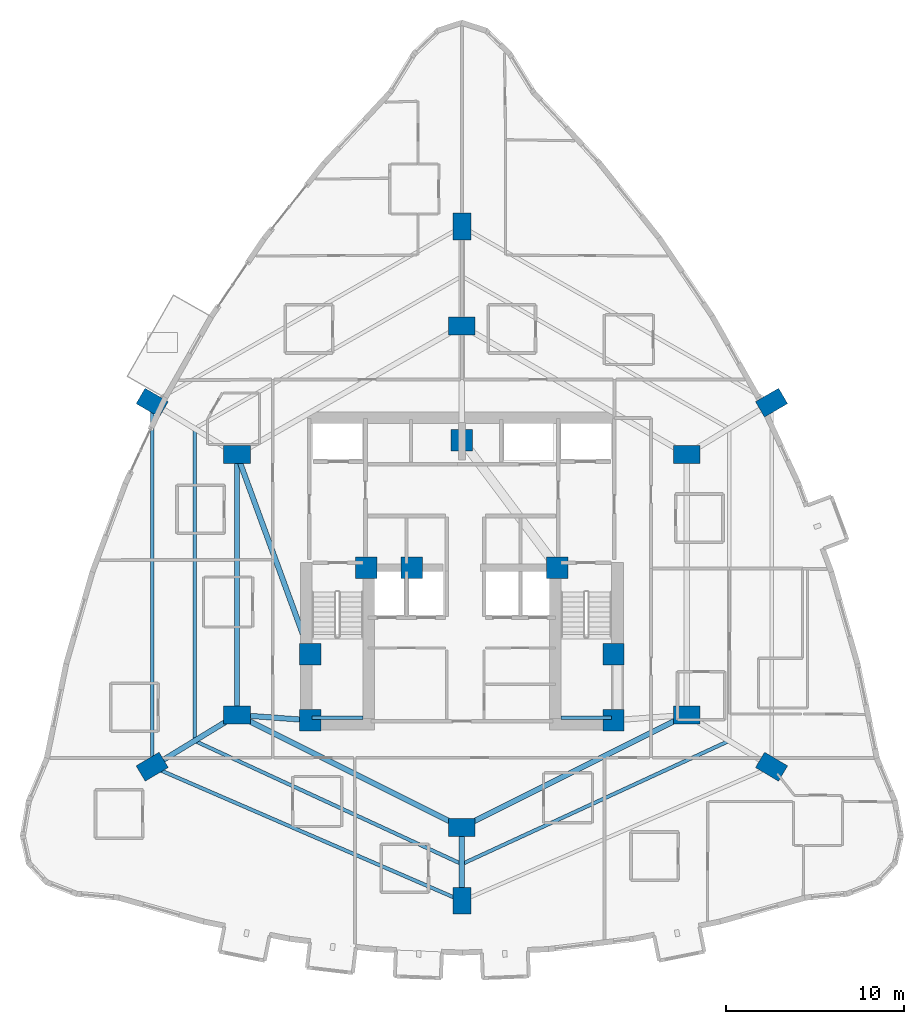
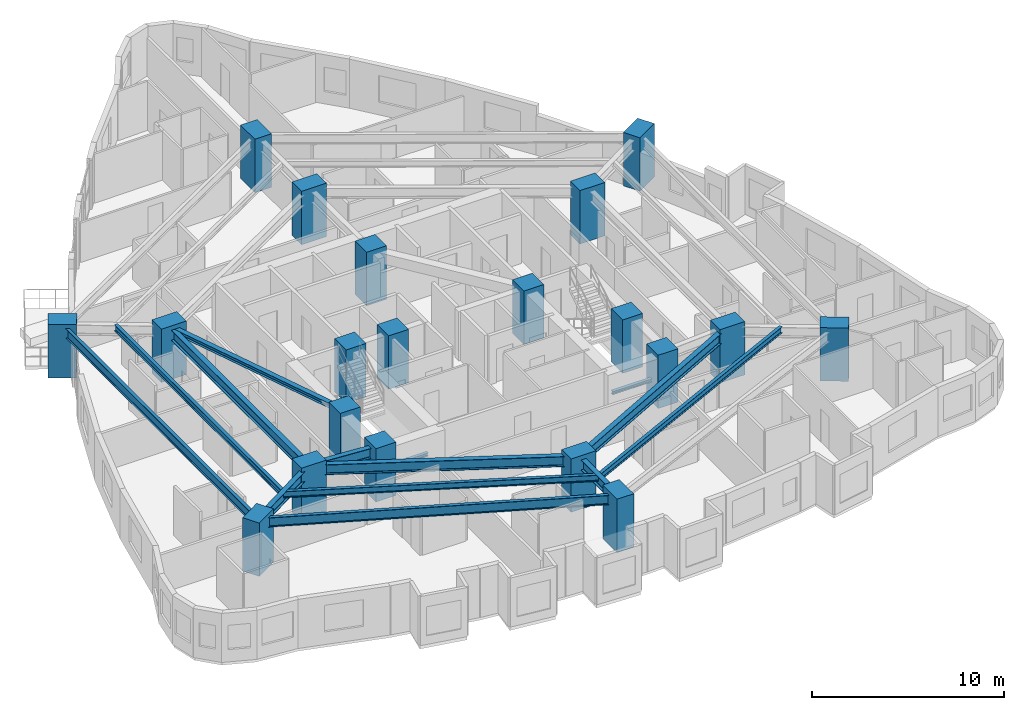
# One storey, part 1 of 17: 20 columns, 14 beams.
"""IFC4 building model written with IfcOpenShell, lengths in metres."""

from ifc_helpers import new_model, si_unit, direction, frame, origin, origin_2d, place, context, subcontext, project, spatial, rectangle, i_section, extrude, material, material_profile, profile_set, type_object, element, save


model = new_model("IFC4")

# Units and contexts
model_context = context("Model", 3, precision=1e-05, world=origin(), true_north=direction((0.0, 1.0)))
body_context = subcontext(model_context, "Body", "Model", "MODEL_VIEW")
ifc_project = project(units=[si_unit("LENGTHUNIT", "METRE"), si_unit("AREAUNIT", "SQUARE_METRE"), si_unit("VOLUMEUNIT", "CUBIC_METRE"), si_unit("PLANEANGLEUNIT", "RADIAN"), si_unit("MASSUNIT", "GRAM", prefix="KILO")], contexts=[model_context])

# Site, building, storey
site_placement = place(None, origin())
site = spatial("IfcSite", under=ifc_project, at=site_placement, CompositionType="ELEMENT")
building_placement = place(site_placement, origin())
building = spatial("IfcBuilding", under=site, at=building_placement, Name="Miruveldt Soraemaru", CompositionType="ELEMENT")
storey_placement = place(building_placement, frame((0.0, 0.0, 53.0)))
storey = spatial("IfcBuildingStorey", under=building, at=storey_placement, Name="L14", CompositionType="ELEMENT", Elevation=53.0)

# Columns
ifc_material_1 = material(Name="Concrete C70/85 (70 MPa)", Category="concrete")
ifc_material_profile_1 = material_profile(ifc_material_1, rectangle(XDim=1.199951171875, YDim=1.199951171875, at=origin_2d()), Name="Concrete C70/85 (70 MPa)", Category="concrete")
ifc_profile_set_1 = profile_set([ifc_material_profile_1], Name="Concrete C70/85 (70 MPa)")
column_type_1 = type_object("IfcColumnType", Name="COL-CORE-1200", PredefinedType="COLUMN", material=ifc_profile_set_1)
for number, where, z_axis, x_axis, name in (
    (1, (35.5, 35.5, 0.0), (0.0, 0.0, 1.0), (1.0, 0.0, 0.0), "L14 Structural Column CC1"),
    (2, (38.64990234375, 44.050048828125, 0.0), (0.0, 0.0, 1.0), (1.0, 0.0, 0.0), "L14 Structural Column CC2"),
    (3, (52.5, 35.5, 0.0), (0.0, 0.0, 1.0), (1.0, 0.0, 0.0), "L14 Structural Column CC3"),
    (4, (52.5, 39.199951171875, 0.0), (0.0, 0.0, 1.0), (1.0, 0.0, 0.0), "L14 Structural Column CC4"),
    (5, (49.35009765625, 44.050048828125, 0.0), (0.0, 0.0, 1.0), (1.0, 0.0, 0.0), "L14 Structural Column CC5"),
    (6, (44.0, 51.199951171875, 0.0), (0.0, 0.0, 1.0), (1.0, 0.0, 0.0), "L14 Structural Column CC6"),
    (7, (35.5, 39.199951171875, 0.0), (0.0, 0.0, 1.0), (1.0, 0.0, 0.0), "L14 Structural Column CC7"),
    (8, (41.199951171875, 44.050048828125, 0.0), (0.0, 0.0, 1.0), (1.0, 0.0, 0.0), "L14 Structural Column CC8"),
):
    element("IfcColumn", number, at=place(storey_placement, frame(where, z_axis=z_axis, x_axis=x_axis)), inside=storey, type_object=column_type_1, Name=name, PredefinedType="COLUMN", context=body_context, shape_type="SweptSolid", body=[
        extrude(rectangle(XDim=1.199951171875, YDim=1.199951171875, at=origin_2d()), origin(), (0.0, 0.0, 1.0), 3.39990234375),
    ])
ifc_material_2 = material(Name="Concrete C80/95 (80 MPa)", Category="concrete")
ifc_material_profile_2 = material_profile(ifc_material_2, rectangle(XDim=1.5, YDim=1.0, at=origin_2d()), Name="Concrete C80/95 (80 MPa)", Category="concrete")
ifc_profile_set_2 = profile_set([ifc_material_profile_2], Name="Concrete C80/95 (80 MPa)")
column_type_2 = type_object("IfcColumnType", Name="COL-TW-Z1A", PredefinedType="COLUMN", material=ifc_profile_set_2)
for number, where, z_axis, x_axis, name in (
    (9, (44.0, 57.60009765625, 0.0), (0.0, 0.0, 1.0), (1.0, 0.0, 0.0), "L14 Structural Column IR01"),
    (10, (56.60009765625, 50.39990234375, 0.0), (0.0, 0.0, 1.0), (1.0, 0.0, 0.0), "L14 Structural Column IR02"),
    (11, (56.60009765625, 35.800048828125, 0.0), (0.0, 0.0, 1.0), (1.0, 0.0, 0.0), "L14 Structural Column IR03"),
    (12, (44.0, 29.5, 0.0), (0.0, 0.0, 1.0), (1.0, 0.0, 0.0), "L14 Structural Column IR04"),
    (13, (31.39990234375, 35.800048828125, 0.0), (0.0, 0.0, 1.0), (1.0, 0.0, 0.0), "L14 Structural Column IR05"),
    (14, (31.39990234375, 50.39990234375, 0.0), (0.0, 0.0, 1.0), (1.0, 0.0, 0.0), "L14 Structural Column IR06"),
    (15, (44.0, 63.16796875, 0.0), (0.0, 0.0, 1.0), (0.0, 1.0, 0.0), "L14 Structural Column Z1P01"),
    (16, (61.35595703125, 53.300048828125, 0.0), (0.0, 0.0, 1.0), (0.864274801954, 0.50301994663, 0.0), "L14 Structural Column Z1P02"),
    (17, (61.35595703125, 32.89990234375, 0.0), (0.0, 0.0, 1.0), (-0.859852271597, 0.510542917912, 0.0), "L14 Structural Column Z1P03"),
    (18, (44.0, 25.382080078125, 0.0), (0.0, 0.0, 1.0), (0.0, 1.0, 0.0), "L14 Structural Column Z1P04"),
    (19, (26.64404296875, 32.89990234375, 0.0), (0.0, 0.0, 1.0), (0.859852271597, 0.510542917912, 0.0), "L14 Structural Column Z1P05"),
    (20, (26.64404296875, 53.300048828125, 0.0), (0.0, 0.0, 1.0), (-0.864274801954, 0.50301994663, 0.0), "L14 Structural Column Z1P06"),
):
    element("IfcColumn", number, at=place(storey_placement, frame(where, z_axis=z_axis, x_axis=x_axis)), inside=storey, type_object=column_type_2, Name=name, PredefinedType="COLUMN", context=body_context, shape_type="SweptSolid", body=[
        extrude(rectangle(XDim=1.5, YDim=1.0, at=origin_2d()), origin(), (0.0, 0.0, 1.0), 3.39990234375),
    ])

# Beams
ifc_material_3 = material(Name="Steel SM355 (355 MPa)", Category="steel")
ifc_material_profile_3 = material_profile(ifc_material_3, i_section(OverallWidth=0.300048828125, OverallDepth=0.300048828125, WebThickness=0.010009765625, FlangeThickness=0.014892578125, FilletRadius=0.01806640625, at=origin_2d()), Name="Steel SM355 (355 MPa)", Category="steel")
ifc_profile_set_3 = profile_set([ifc_material_profile_3], Name="Steel SM355 (355 MPa)")
beam_type_1 = type_object("IfcBeamType", Name="BM-LNT-H300", PredefinedType="LINTEL", material=ifc_profile_set_3)
beam_1_placement = place(storey_placement, frame((31.39990234375, 50.39990234375, 2.97509765625), z_axis=(0.343770424598, -0.939053723262, 0.0), x_axis=(0.939053723262, 0.343770424598, 0.0)))
element("IfcBeam", 21, at=beam_1_placement, inside=storey, type_object=beam_type_1, Name="L14 West Lobby Lintel", PredefinedType="LINTEL", context=body_context, shape_type="SweptSolid", body=[
    extrude(i_section(OverallWidth=0.300048828125, OverallDepth=0.300048828125, WebThickness=0.010009765625, FlangeThickness=0.014892578125, FilletRadius=0.01806640625, at=origin_2d()), origin(), (0.0, 0.0, 1.0), 11.9267578125),
])
ifc_material_profile_4 = material_profile(ifc_material_3, i_section(OverallWidth=0.199951171875, OverallDepth=0.39990234375, WebThickness=0.008056640625, FlangeThickness=0.012939453125, FilletRadius=0.01611328125, at=origin_2d()), Name="Steel SM355 (355 MPa)", Category="steel")
ifc_profile_set_4 = profile_set([ifc_material_profile_4], Name="Steel SM355 (355 MPa)")
beam_type_2 = type_object("IfcBeamType", Name="BM-ST-H400", PredefinedType="JOIST", material=ifc_profile_set_4)
for number, where, z_axis, x_axis, name in (
    (22, (58.97802734375, 34.35009765625, 2.925048828125), (-0.908046005539, -0.418870447543, 0.0), (0.418870447543, -0.908046005539, 0.0), "L14 Outer Bay Floor Joist 3"),
    (23, (44.0, 27.44091796875, 2.925048828125), (-0.908046005539, 0.418870447543, 0.0), (-0.418870447543, -0.908046005539, 0.0), "L14 Outer Bay Floor Joist 4"),
):
    element("IfcBeam", number, at=place(storey_placement, frame(where, z_axis=z_axis, x_axis=x_axis)), inside=storey, type_object=beam_type_2, Name=name, PredefinedType="JOIST", context=body_context, shape_type="SweptSolid", body=[
        extrude(i_section(OverallWidth=0.199951171875, OverallDepth=0.39990234375, WebThickness=0.008056640625, FlangeThickness=0.012939453125, FilletRadius=0.01611328125, at=origin_2d()), origin(), (0.0, 0.0, 1.0), 16.494873046875),
    ])
beam_2_placement = place(storey_placement, frame((29.02197265625, 34.35009765625, 2.925048828125), z_axis=(0.0, 1.0, 0.0), x_axis=(-1.0, 0.0, 0.0)))
element("IfcBeam", 24, at=beam_2_placement, inside=storey, type_object=beam_type_2, Name="L14 Outer Bay Floor Joist 5", PredefinedType="JOIST", context=body_context, shape_type="SweptSolid", body=[
    extrude(i_section(OverallWidth=0.199951171875, OverallDepth=0.39990234375, WebThickness=0.008056640625, FlangeThickness=0.012939453125, FilletRadius=0.01611328125, at=origin_2d()), origin(), (0.0, 0.0, 1.0), 17.5),
])
ifc_material_profile_5 = material_profile(ifc_material_3, i_section(OverallWidth=0.199951171875, OverallDepth=0.60009765625, WebThickness=0.010986328125, FlangeThickness=0.01708984375, FilletRadius=0.02197265625, at=origin_2d()), Name="Steel SM355 (355 MPa)", Category="steel")
ifc_profile_set_5 = profile_set([ifc_material_profile_5], Name="Steel SM355 (355 MPa)")
beam_type_3 = type_object("IfcBeamType", Name="BM-ST-H600", PredefinedType="SPANDREL", material=ifc_profile_set_5)
beam_3_placement = place(storey_placement, frame((44.0, 25.382080078125, 2.824951171875), z_axis=(-0.917615263736, 0.397469782195, 0.0), x_axis=(-0.397469782195, -0.917615263736, 0.0)))
element("IfcBeam", 25, at=beam_3_placement, inside=storey, type_object=beam_type_3, Name="L14 Zone-1 Spandrel Beam 4", PredefinedType="SPANDREL", context=body_context, shape_type="SweptSolid", body=[
    extrude(i_section(OverallWidth=0.199951171875, OverallDepth=0.60009765625, WebThickness=0.010986328125, FlangeThickness=0.01708984375, FilletRadius=0.02197265625, at=origin_2d()), origin(), (0.0, 0.0, 1.0), 18.914306640625),
])
beam_4_placement = place(storey_placement, frame((26.64404296875, 32.89990234375, 2.824951171875), z_axis=(0.0, 1.0, 0.0), x_axis=(-1.0, 0.0, 0.0)))
element("IfcBeam", 26, at=beam_4_placement, inside=storey, type_object=beam_type_3, Name="L14 Zone-1 Spandrel Beam 5", PredefinedType="SPANDREL", context=body_context, shape_type="SweptSolid", body=[
    extrude(i_section(OverallWidth=0.199951171875, OverallDepth=0.60009765625, WebThickness=0.010986328125, FlangeThickness=0.01708984375, FilletRadius=0.02197265625, at=origin_2d()), origin(), (0.0, 0.0, 1.0), 20.400146484375),
])
ifc_material_profile_6 = material_profile(ifc_material_3, i_section(OverallWidth=0.300048828125, OverallDepth=0.64990234375, WebThickness=0.012939453125, FlangeThickness=0.02197265625, FilletRadius=0.02587890625, at=origin_2d()), Name="Steel SM355 (355 MPa)", Category="steel")
ifc_profile_set_6 = profile_set([ifc_material_profile_6], Name="Steel SM355 (355 MPa)")
beam_type_4 = type_object("IfcBeamType", Name="BM-ST-H650", PredefinedType="BEAM", material=ifc_profile_set_6)
for number, where, z_axis, x_axis, name in (
    (27, (56.60009765625, 35.800048828125, 2.800048828125), (-0.894427191, -0.4472135955, 0.0), (0.4472135955, -0.894427191, 0.0), "L14 Inner Ring Girder 3"),
    (28, (44.0, 29.5, 2.800048828125), (-0.894427191, 0.4472135955, 0.0), (-0.4472135955, -0.894427191, 0.0), "L14 Inner Ring Girder 4"),
):
    element("IfcBeam", number, at=place(storey_placement, frame(where, z_axis=z_axis, x_axis=x_axis)), inside=storey, type_object=beam_type_4, Name=name, PredefinedType="BEAM", context=body_context, shape_type="SweptSolid", body=[
        extrude(i_section(OverallWidth=0.300048828125, OverallDepth=0.64990234375, WebThickness=0.012939453125, FlangeThickness=0.02197265625, FilletRadius=0.02587890625, at=origin_2d()), origin(), (0.0, 0.0, 1.0), 14.08740234375),
    ])
beam_5_placement = place(storey_placement, frame((31.39990234375, 35.800048828125, 2.800048828125), z_axis=(0.0, 1.0, 0.0), x_axis=(-1.0, 0.0, 0.0)))
element("IfcBeam", 29, at=beam_5_placement, inside=storey, type_object=beam_type_4, Name="L14 Inner Ring Girder 5", PredefinedType="BEAM", context=body_context, shape_type="SweptSolid", body=[
    extrude(i_section(OverallWidth=0.300048828125, OverallDepth=0.64990234375, WebThickness=0.012939453125, FlangeThickness=0.02197265625, FilletRadius=0.02587890625, at=origin_2d()), origin(), (0.0, 0.0, 1.0), 14.599853515625),
])
beam_6_placement = place(storey_placement, frame((35.5, 35.5, 2.800048828125), z_axis=(-0.997332985605, 0.072985723431, 0.0), x_axis=(-0.072985723431, -0.997332985605, 0.0)))
element("IfcBeam", 30, at=beam_6_placement, inside=storey, type_object=beam_type_4, Name="L14 Core-to-Inner Radial Girder 5", PredefinedType="BEAM", context=body_context, shape_type="SweptSolid", body=[
    extrude(i_section(OverallWidth=0.300048828125, OverallDepth=0.64990234375, WebThickness=0.012939453125, FlangeThickness=0.02197265625, FilletRadius=0.02587890625, at=origin_2d()), origin(), (0.0, 0.0, 1.0), 4.111083984375),
])
beam_7_placement = place(storey_placement, frame((44.0, 29.5, 2.800048828125), z_axis=(0.0, -1.0, 0.0), x_axis=(1.0, 0.0, 0.0)))
element("IfcBeam", 31, at=beam_7_placement, inside=storey, type_object=beam_type_4, Name="L14 Zone-1 Radial Girder 4", PredefinedType="BEAM", context=body_context, shape_type="SweptSolid", body=[
    extrude(i_section(OverallWidth=0.300048828125, OverallDepth=0.64990234375, WebThickness=0.012939453125, FlangeThickness=0.02197265625, FilletRadius=0.02587890625, at=origin_2d()), origin(), (0.0, 0.0, 1.0), 4.117919921875),
])
beam_8_placement = place(storey_placement, frame((31.39990234375, 35.800048828125, 2.800048828125), z_axis=(-0.853777644156, -0.520637814935, 0.0), x_axis=(0.520637814935, -0.853777644156, 0.0)))
element("IfcBeam", 32, at=beam_8_placement, inside=storey, type_object=beam_type_4, Name="L14 Zone-1 Radial Girder 5", PredefinedType="BEAM", context=body_context, shape_type="SweptSolid", body=[
    extrude(i_section(OverallWidth=0.300048828125, OverallDepth=0.64990234375, WebThickness=0.012939453125, FlangeThickness=0.02197265625, FilletRadius=0.02587890625, at=origin_2d()), origin(), (0.0, 0.0, 1.0), 5.5703125),
])
ifc_material_profile_7 = material_profile(ifc_material_3, i_section(OverallWidth=0.199951171875, OverallDepth=0.199951171875, WebThickness=0.008056640625, FlangeThickness=0.011962890625, FilletRadius=0.012939453125, at=origin_2d()), Name="Steel SM355 (355 MPa)", Category="steel")
ifc_profile_set_7 = profile_set([ifc_material_profile_7], Name="Steel SM355 (355 MPa)")
beam_type_5 = type_object("IfcBeamType", Name="BM-ST-LND200", PredefinedType="BEAM", material=ifc_profile_set_7)
for number, where, z_axis, x_axis, name in (
    (33, (35.60009765625, 35.64990234375, 1.39990234375), (1.0, 0.0, 0.0), (0.0, 1.0, 0.0), "L14 ST1 Landing End Beam 1B"),
    (34, (49.550048828125, 35.64990234375, 1.39990234375), (1.0, 0.0, 0.0), (0.0, 1.0, 0.0), "L14 ST2 Landing End Beam 1B"),
):
    element("IfcBeam", number, at=place(storey_placement, frame(where, z_axis=z_axis, x_axis=x_axis)), inside=storey, type_object=beam_type_5, Name=name, PredefinedType="BEAM", context=body_context, shape_type="SweptSolid", body=[
        extrude(i_section(OverallWidth=0.199951171875, OverallDepth=0.199951171875, WebThickness=0.008056640625, FlangeThickness=0.011962890625, FilletRadius=0.012939453125, at=origin_2d()), origin(), (0.0, 0.0, 1.0), 2.849853515625),
    ])

save(model, "model.ifc")
